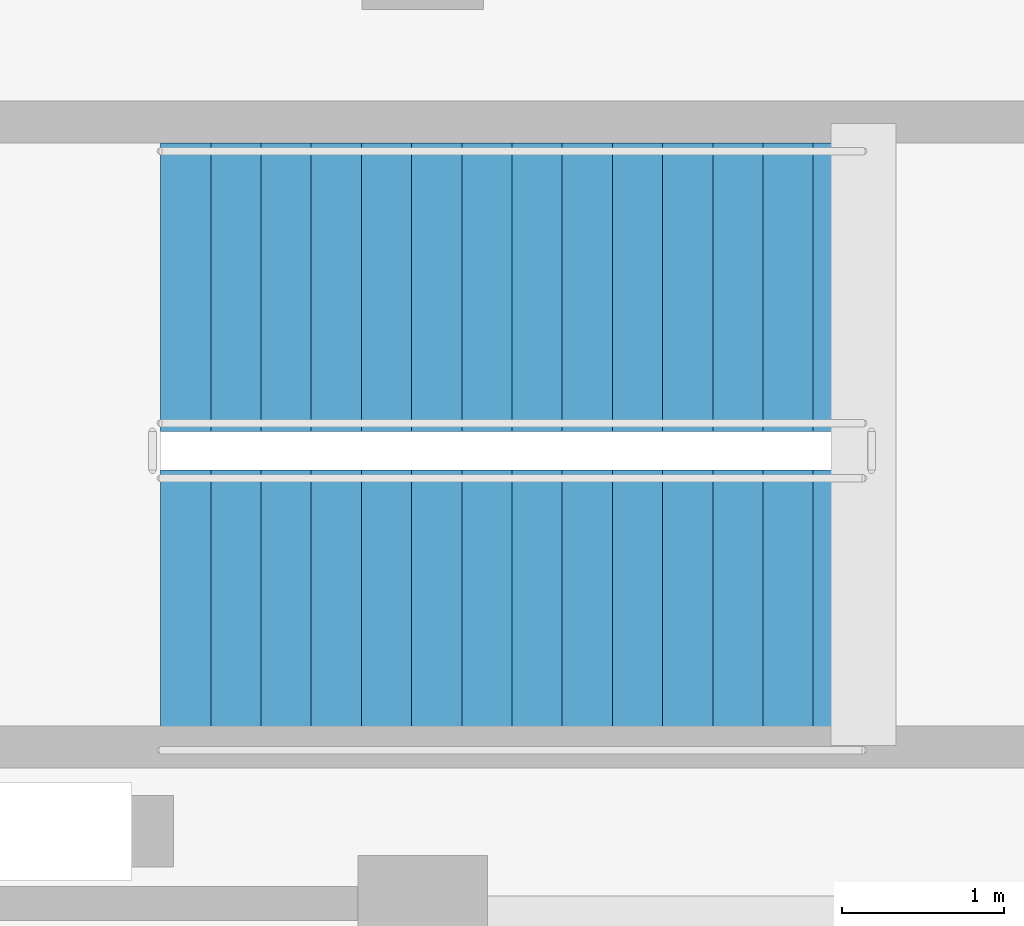
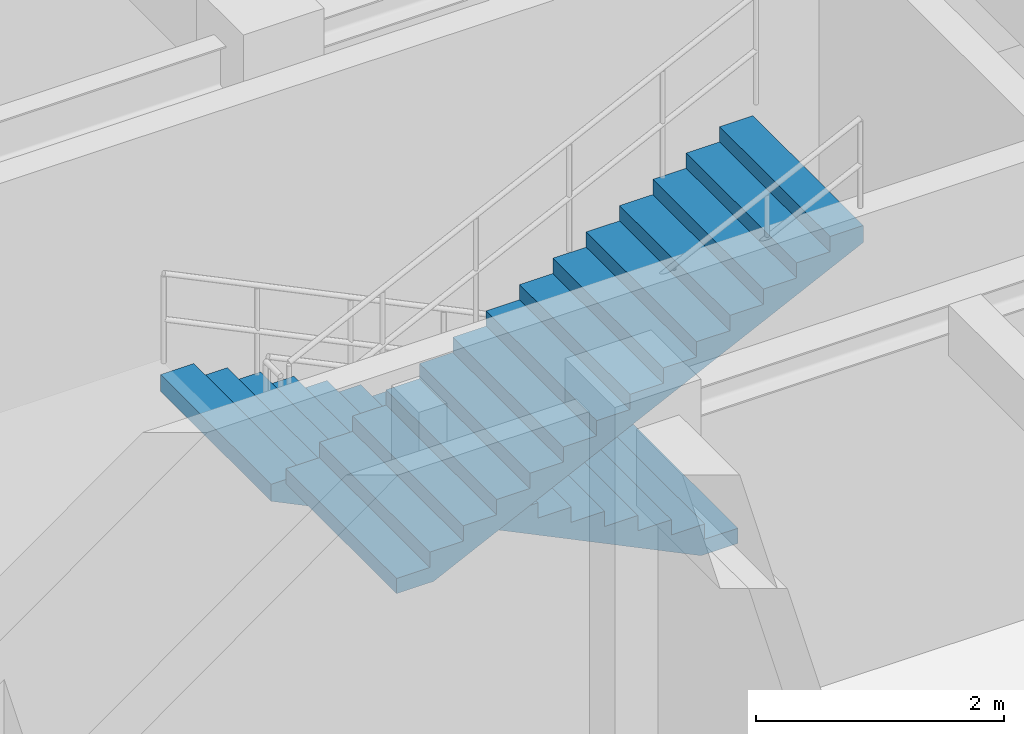
# One storey, part 111 of 133: 2 stair flights, 1 element without a shape of its own.
"""IFC4 building model written with IfcOpenShell, lengths in metres."""

from ifc_helpers import new_model, si_unit, direction, frame, origin, place, context, subcontext, project, spatial, polyline, outline, extrude, material, type_object, element, aggregate, save


model = new_model("IFC4")

# Units and contexts
model_context = context("Model", 3, precision=1e-05, world=origin(), true_north=direction((0.0, 1.0)))
body_context = subcontext(model_context, "Body", "Model", "MODEL_VIEW")
ifc_project = project(units=[si_unit("LENGTHUNIT", "METRE"), si_unit("AREAUNIT", "SQUARE_METRE"), si_unit("VOLUMEUNIT", "CUBIC_METRE"), si_unit("PLANEANGLEUNIT", "RADIAN"), si_unit("MASSUNIT", "GRAM", prefix="KILO"), si_unit("THERMODYNAMICTEMPERATUREUNIT", "KELVIN"), si_unit("POWERUNIT", "WATT")], contexts=[model_context])

# Site, building, storey
site_placement = place(None, origin())
site = spatial("IfcSite", under=ifc_project, at=site_placement, CompositionType="ELEMENT")
building_placement = place(site_placement, origin())
building = spatial("IfcBuilding", under=site, at=building_placement, Name="Phaisarnlok Congress Hotel", CompositionType="ELEMENT")
storey_placement = place(building_placement, frame((0.0, 0.0, 6.0)))
storey = spatial("IfcBuildingStorey", under=building, at=storey_placement, Name="L01", CompositionType="ELEMENT", Elevation=6.0)

# Stair, stair flights
ifc_material = material(Name="Concrete C40/50", Category="concrete")
stair_type = type_object("IfcStairType", Name="STR-DOG-03", PredefinedType="HALF_TURN_STAIR", material=ifc_material)
stair_placement = place(storey_placement, origin())
stair = element("IfcStair", 1, at=stair_placement, inside=storey, type_object=stair_type, Name="L01 ST-05", PredefinedType="HALF_TURN_STAIR")
stair_flight_type = type_object("IfcStairFlightType", Name="SFL-RC-03", PredefinedType="STRAIGHT", material=ifc_material)
stair_flight_1_placement = place(storey_placement, frame((164.719970703125, 111.909912109375, 0.0), z_axis=(0.0, 0.0, 1.0), x_axis=(-1.0, 0.0, 0.0)))
stair_flight_1 = element("IfcStairFlight", 2, at=stair_flight_1_placement, type_object=stair_flight_type, Name="ST-05 flight 1", NumberOfRisers=15, NumberOfTreads=14, PredefinedType="STRAIGHT", RiserHeight=0.15, TreadLength=0.31, context=body_context, shape_type="SweptSolid", body=[
    extrude(outline(polyline([(0.0, 0.0), (0.0, 0.14990234375), (0.31005859375, 0.14990234375), (0.31005859375, 0.300048828125), (0.6201171875, 0.300048828125), (0.6201171875, 0.449951171875), (0.929931640625, 0.449951171875), (0.929931640625, 0.60009765625), (1.239990234375, 0.60009765625), (1.239990234375, 0.75), (1.550048828125, 0.75), (1.550048828125, 0.89990234375), (1.860107421875, 0.89990234375), (1.860107421875, 1.050048828125), (2.169921875, 1.050048828125), (2.169921875, 1.199951171875), (2.47998046875, 1.199951171875), (2.47998046875, 1.35009765625), (2.7900390625, 1.35009765625), (2.7900390625, 1.5), (3.10009765625, 1.5), (3.10009765625, 1.64990234375), (3.409912109375, 1.64990234375), (3.409912109375, 1.800048828125), (3.719970703125, 1.800048828125), (3.719970703125, 1.949951171875), (4.030029296875, 1.949951171875), (4.030029296875, 2.10009765625), (4.340087890625, 2.10009765625), (4.340087890625, 2.25), (4.340087890625, 1.933349609375), (0.34423828125, 0.0), (0.0, 0.0)])), frame((0.0, 0.89013671875, 0.0), z_axis=(0.0, -1.0, 0.0), x_axis=(1.0, 0.0, 0.0)), (0.0, 0.0, 1.0), 1.780029296875),
])
stair_flight_2_placement = place(storey_placement, frame((160.3798828125, 109.889892578125, 2.25), z_axis=(0.0, 0.0, 1.0), x_axis=(1.0, 0.0, 0.0)))
stair_flight_2 = element("IfcStairFlight", 3, at=stair_flight_2_placement, type_object=stair_flight_type, Name="ST-05 flight 2", NumberOfRisers=15, NumberOfTreads=14, PredefinedType="STRAIGHT", RiserHeight=0.15, TreadLength=0.31, context=body_context, shape_type="SweptSolid", body=[
    extrude(outline(polyline([(0.0, 0.0), (0.0, 0.14990234375), (0.31005859375, 0.14990234375), (0.31005859375, 0.300048828125), (0.6201171875, 0.300048828125), (0.6201171875, 0.449951171875), (0.929931640625, 0.449951171875), (0.929931640625, 0.60009765625), (1.239990234375, 0.60009765625), (1.239990234375, 0.75), (1.550048828125, 0.75), (1.550048828125, 0.89990234375), (1.860107421875, 0.89990234375), (1.860107421875, 1.050048828125), (2.169921875, 1.050048828125), (2.169921875, 1.199951171875), (2.47998046875, 1.199951171875), (2.47998046875, 1.35009765625), (2.7900390625, 1.35009765625), (2.7900390625, 1.5), (3.10009765625, 1.5), (3.10009765625, 1.64990234375), (3.409912109375, 1.64990234375), (3.409912109375, 1.800048828125), (3.719970703125, 1.800048828125), (3.719970703125, 1.949951171875), (4.030029296875, 1.949951171875), (4.030029296875, 2.10009765625), (4.340087890625, 2.10009765625), (4.340087890625, 2.25), (4.340087890625, 1.933349609375), (0.34423828125, 0.0), (0.0, 0.0)])), frame((0.0, 0.89013671875, 0.0), z_axis=(0.0, -1.0, 0.0), x_axis=(1.0, 0.0, 0.0)), (0.0, 0.0, 1.0), 1.780029296875),
])
aggregate(stair, [stair_flight_1, stair_flight_2])

save(model, "model.ifc")
